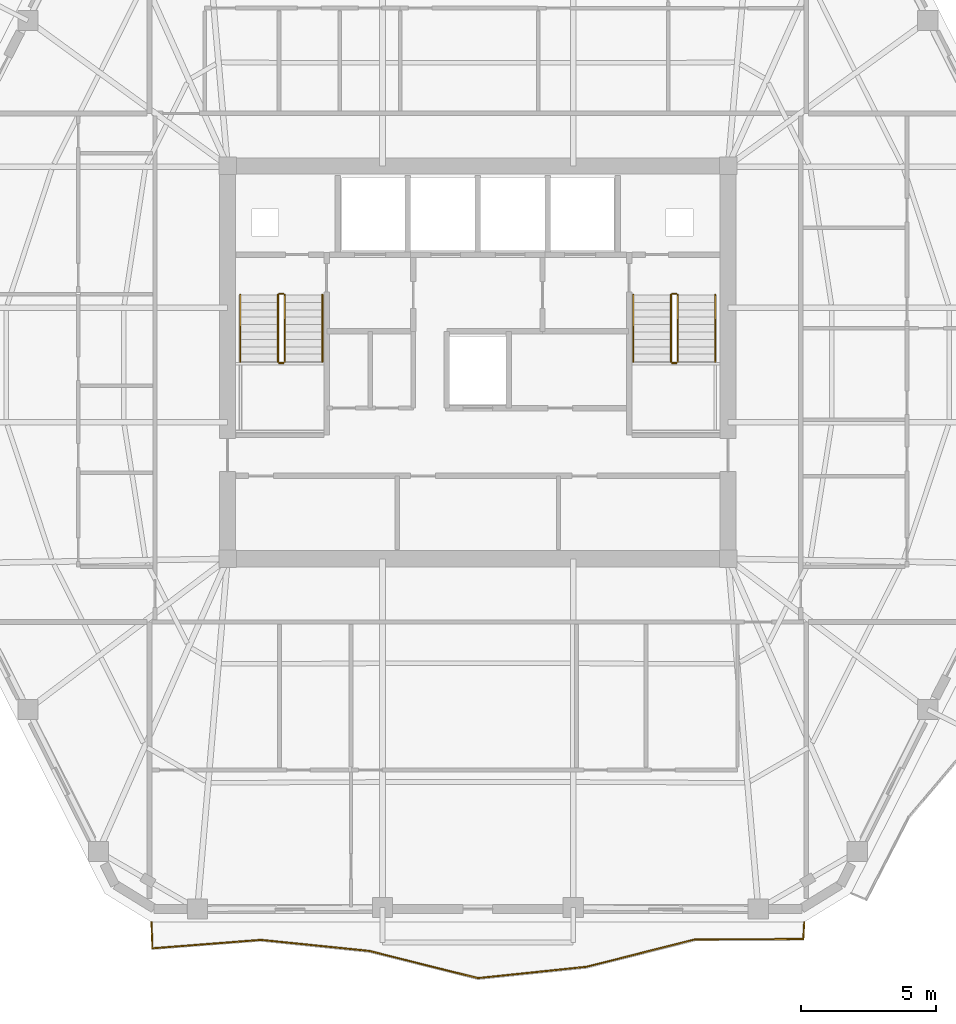
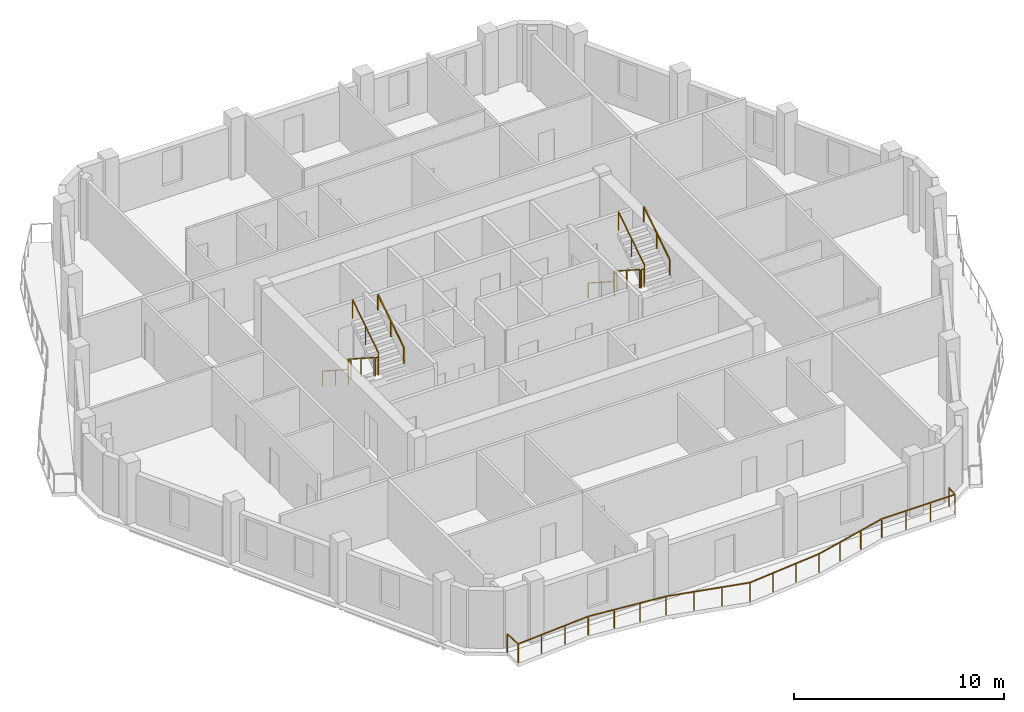
# One storey, part 8 of 9: 13 railings.
"""IFC4 building model written with IfcOpenShell, lengths in metres."""

from ifc_helpers import new_model, si_unit, direction, frame, origin, origin_2d, place, context, subcontext, project, spatial, rectangle, extrude, material, type_object, element, save


model = new_model("IFC4")

# Units and contexts
model_context = context("Model", 3, precision=1e-05, world=origin(), true_north=direction((0.0, 1.0)))
body_context = subcontext(model_context, "Body", "Model", "MODEL_VIEW")
ifc_project = project(units=[si_unit("LENGTHUNIT", "METRE"), si_unit("AREAUNIT", "SQUARE_METRE"), si_unit("VOLUMEUNIT", "CUBIC_METRE"), si_unit("PLANEANGLEUNIT", "RADIAN"), si_unit("MASSUNIT", "GRAM", prefix="KILO")], contexts=[model_context])

# Site, building, storey
site_placement = place(None, origin())
site = spatial("IfcSite", under=ifc_project, at=site_placement, CompositionType="ELEMENT")
building_placement = place(site_placement, origin())
building = spatial("IfcBuilding", under=site, at=building_placement, Name="Cinnabar Lancet Tower", CompositionType="ELEMENT")
storey_placement = place(building_placement, frame((0.0, 0.0, 207.39990234375)))
storey = spatial("IfcBuildingStorey", under=building, at=storey_placement, Name="L55", CompositionType="ELEMENT", Elevation=207.39990234375)

# Railings
ifc_material_1 = material(Name="Laminated safety glass and bronze stainless steel balustrade", Category="steel")
railing_type_1 = type_object("IfcRailingType", Name="ENV-RLG-BAL-1100", PredefinedType="BALUSTRADE", material=ifc_material_1)
railing_1_placement = place(storey_placement, frame((20.27197265625, 5.10009765625, 0.0)))
element("IfcRailing", 1, at=railing_1_placement, inside=storey, type_object=railing_type_1, Name="L55 Face 1 Wave Balcony Balustrade", PredefinedType="BALUSTRADE", context=body_context, shape_type="SweptSolid", body=[
    extrude(rectangle(XDim=0.048095703125, YDim=0.048095703125, at=origin_2d()), frame((0.0, 0.0, 1.076171875), z_axis=(0.034781146332, -0.999394952889, 0.0), x_axis=(0.999394952889, 0.034781146332, 0.0)), (0.0, 0.0, 1.0), 0.9755859375),
    extrude(rectangle(XDim=0.048095703125, YDim=0.048095703125, at=origin_2d()), frame((0.033935546875, -0.97509765625, 1.076171875), z_axis=(0.996985230168, 0.077591564149, 0.0), x_axis=(-0.077591564149, 0.996985230168, 0.0)), (0.0, 0.0, 1.0), 4.04638671875),
    extrude(rectangle(XDim=0.048095703125, YDim=0.048095703125, at=origin_2d()), frame((4.068115234375, -0.6611328125, 1.076171875), z_axis=(0.99484258554, -0.101430912429, 0.0), x_axis=(0.101430912429, 0.99484258554, 0.0)), (0.0, 0.0, 1.0), 4.051025390625),
    extrude(rectangle(XDim=0.048095703125, YDim=0.048095703125, at=origin_2d()), frame((8.09814453125, -1.072021484375, 1.076171875), z_axis=(0.969997138902, -0.243116331252, 0.0), x_axis=(0.243116331252, 0.969997138902, 0.0)), (0.0, 0.0, 1.0), 4.154541015625),
    extrude(rectangle(XDim=0.048095703125, YDim=0.048095703125, at=origin_2d()), frame((12.1279296875, -2.08203125, 1.076171875), z_axis=(0.994617762245, 0.10361229187, 0.0), x_axis=(-0.10361229187, 0.994617762245, 0.0)), (0.0, 0.0, 1.0), 4.052734375),
    extrude(rectangle(XDim=0.048095703125, YDim=0.048095703125, at=origin_2d()), frame((16.158935546875, -1.662109375, 1.076171875), z_axis=(0.969583531545, 0.244760649119, 0.0), x_axis=(-0.244760649119, 0.969583531545, 0.0)), (0.0, 0.0, 1.0), 4.155517578125),
    extrude(rectangle(XDim=0.048095703125, YDim=0.048095703125, at=origin_2d()), frame((20.18798828125, -0.64501953125, 1.076171875), z_axis=(0.999993181989, 0.0036926923, 0.0), x_axis=(-0.0036926923, 0.999993181989, 0.0)), (0.0, 0.0, 1.0), 4.032958984375),
    extrude(rectangle(XDim=0.048095703125, YDim=0.048095703125, at=origin_2d()), frame((24.220947265625, -0.630126953125, 1.076171875), z_axis=(0.055705696022, 0.998447232171, 0.0), x_axis=(-0.998447232171, 0.055705696022, 0.0)), (0.0, 0.0, 1.0), 0.631103515625),
    extrude(rectangle(XDim=0.0419921875, YDim=0.0419921875, at=origin_2d()), origin(), (0.0, 0.0, 1.0), 1.052001953125),
    extrude(rectangle(XDim=0.0419921875, YDim=0.0419921875, at=origin_2d()), frame((0.033935546875, -0.97509765625, 0.0)), (0.0, 0.0, 1.0), 1.052001953125),
    extrude(rectangle(XDim=0.0419921875, YDim=0.0419921875, at=origin_2d()), frame((1.378662109375, -0.870361328125, 0.0)), (0.0, 0.0, 1.0), 1.052001953125),
    extrude(rectangle(XDim=0.0419921875, YDim=0.0419921875, at=origin_2d()), frame((2.723388671875, -0.765869140625, 0.0)), (0.0, 0.0, 1.0), 1.052001953125),
    extrude(rectangle(XDim=0.0419921875, YDim=0.0419921875, at=origin_2d()), frame((4.068115234375, -0.6611328125, 0.0)), (0.0, 0.0, 1.0), 1.052001953125),
    extrude(rectangle(XDim=0.0419921875, YDim=0.0419921875, at=origin_2d()), frame((5.411376953125, -0.798095703125, 0.0)), (0.0, 0.0, 1.0), 1.052001953125),
    extrude(rectangle(XDim=0.0419921875, YDim=0.0419921875, at=origin_2d()), frame((6.7548828125, -0.93505859375, 0.0)), (0.0, 0.0, 1.0), 1.052001953125),
    extrude(rectangle(XDim=0.0419921875, YDim=0.0419921875, at=origin_2d()), frame((8.09814453125, -1.072021484375, 0.0)), (0.0, 0.0, 1.0), 1.052001953125),
    extrude(rectangle(XDim=0.0419921875, YDim=0.0419921875, at=origin_2d()), frame((9.44140625, -1.40869140625, 0.0)), (0.0, 0.0, 1.0), 1.052001953125),
    extrude(rectangle(XDim=0.0419921875, YDim=0.0419921875, at=origin_2d()), frame((10.78466796875, -1.745361328125, 0.0)), (0.0, 0.0, 1.0), 1.052001953125),
    extrude(rectangle(XDim=0.0419921875, YDim=0.0419921875, at=origin_2d()), frame((12.1279296875, -2.08203125, 0.0)), (0.0, 0.0, 1.0), 1.052001953125),
    extrude(rectangle(XDim=0.0419921875, YDim=0.0419921875, at=origin_2d()), frame((13.4716796875, -1.942138671875, 0.0)), (0.0, 0.0, 1.0), 1.052001953125),
    extrude(rectangle(XDim=0.0419921875, YDim=0.0419921875, at=origin_2d()), frame((14.815185546875, -1.802001953125, 0.0)), (0.0, 0.0, 1.0), 1.052001953125),
    extrude(rectangle(XDim=0.0419921875, YDim=0.0419921875, at=origin_2d()), frame((16.158935546875, -1.662109375, 0.0)), (0.0, 0.0, 1.0), 1.052001953125),
    extrude(rectangle(XDim=0.0419921875, YDim=0.0419921875, at=origin_2d()), frame((17.501953125, -1.322998046875, 0.0)), (0.0, 0.0, 1.0), 1.052001953125),
    extrude(rectangle(XDim=0.0419921875, YDim=0.0419921875, at=origin_2d()), frame((18.844970703125, -0.984130859375, 0.0)), (0.0, 0.0, 1.0), 1.052001953125),
    extrude(rectangle(XDim=0.0419921875, YDim=0.0419921875, at=origin_2d()), frame((20.18798828125, -0.64501953125, 0.0)), (0.0, 0.0, 1.0), 1.052001953125),
    extrude(rectangle(XDim=0.0419921875, YDim=0.0419921875, at=origin_2d()), frame((21.5322265625, -0.64013671875, 0.0)), (0.0, 0.0, 1.0), 1.052001953125),
    extrude(rectangle(XDim=0.0419921875, YDim=0.0419921875, at=origin_2d()), frame((22.876708984375, -0.635009765625, 0.0)), (0.0, 0.0, 1.0), 1.052001953125),
    extrude(rectangle(XDim=0.0419921875, YDim=0.0419921875, at=origin_2d()), frame((24.220947265625, -0.630126953125, 0.0)), (0.0, 0.0, 1.0), 1.052001953125),
    extrude(rectangle(XDim=0.0419921875, YDim=0.0419921875, at=origin_2d()), frame((24.256103515625, 0.0, 0.0)), (0.0, 0.0, 1.0), 1.052001953125),
])
ifc_material_2 = material(Name="Painted galvanized steel balustrade", Category="steel")
railing_type_2 = type_object("IfcRailingType", Name="GUARD-STAIR", PredefinedType="GUARDRAIL", material=ifc_material_2)
railing_2_placement = place(storey_placement, frame((24.97509765625, 28.39990234375, 0.177490234375)))
element("IfcRailing", 2, at=railing_2_placement, inside=storey, type_object=railing_type_2, Name="L55 ST-1 stair guard 1", PredefinedType="GUARDRAIL", context=body_context, shape_type="SweptSolid", body=[
    extrude(rectangle(XDim=0.048095703125, YDim=0.048095703125, at=origin_2d()), frame((0.0, 0.0, 1.076171875), z_axis=(0.0, -0.84014559416, 0.542360932049), x_axis=(1.0, 0.0, 0.0)), (0.0, 0.0, 1.0), 2.94580078125),
    extrude(rectangle(XDim=0.0419921875, YDim=0.0419921875, at=origin_2d()), origin(), (0.0, 0.0, 1.0), 1.052001953125),
    extrude(rectangle(XDim=0.0419921875, YDim=0.0419921875, at=origin_2d()), frame((0.0, -1.2373046875, 0.798828125)), (0.0, 0.0, 1.0), 1.052001953125),
    extrude(rectangle(XDim=0.0419921875, YDim=0.0419921875, at=origin_2d()), frame((0.0, -2.474853515625, 1.59765625)), (0.0, 0.0, 1.0), 1.052001953125),
])
railing_3_placement = place(storey_placement, frame((25.02490234375, 25.875, 1.775146484375)))
element("IfcRailing", 3, at=railing_3_placement, inside=storey, type_object=railing_type_2, Name="L55 ST-1 stair guard 2", PredefinedType="GUARDRAIL", context=body_context, shape_type="SweptSolid", body=[
    extrude(rectangle(XDim=0.048095703125, YDim=0.048095703125, at=origin_2d()), frame((0.0, 0.0, 1.076171875), z_axis=(1.0, 0.0, 0.0), x_axis=(0.0, 1.0, 0.0)), (0.0, 0.0, 1.0), 0.150146484375),
    extrude(rectangle(XDim=0.0419921875, YDim=0.0419921875, at=origin_2d()), origin(), (0.0, 0.0, 1.0), 1.052001953125),
    extrude(rectangle(XDim=0.0419921875, YDim=0.0419921875, at=origin_2d()), frame((0.150146484375, 0.0, 0.0)), (0.0, 0.0, 1.0), 1.052001953125),
])
railing_4_placement = place(storey_placement, frame((25.22509765625, 25.925048828125, 1.95263671875)))
element("IfcRailing", 4, at=railing_4_placement, inside=storey, type_object=railing_type_2, Name="L55 ST-1 stair guard 3", PredefinedType="GUARDRAIL", context=body_context, shape_type="SweptSolid", body=[
    extrude(rectangle(XDim=0.048095703125, YDim=0.048095703125, at=origin_2d()), frame((0.0, 0.0, 1.076171875), z_axis=(0.0, 0.840183358697, 0.542302428327), x_axis=(-1.0, 0.0, 0.0)), (0.0, 0.0, 1.0), 2.945556640625),
    extrude(rectangle(XDim=0.0419921875, YDim=0.0419921875, at=origin_2d()), origin(), (0.0, 0.0, 1.0), 1.052001953125),
    extrude(rectangle(XDim=0.0419921875, YDim=0.0419921875, at=origin_2d()), frame((0.0, 1.2373046875, 0.798828125)), (0.0, 0.0, 1.0), 1.052001953125),
    extrude(rectangle(XDim=0.0419921875, YDim=0.0419921875, at=origin_2d()), frame((0.0, 2.474853515625, 1.597412109375)), (0.0, 0.0, 1.0), 1.052001953125),
])
railing_5_placement = place(storey_placement, frame((25.02490234375, 28.449951171875, 0.0)))
element("IfcRailing", 5, at=railing_5_placement, inside=storey, type_object=railing_type_2, Name="L55 ST-1 stair guard 4", PredefinedType="GUARDRAIL", context=body_context, shape_type="SweptSolid", body=[
    extrude(rectangle(XDim=0.048095703125, YDim=0.048095703125, at=origin_2d()), frame((0.0, 0.0, 1.076171875), z_axis=(1.0, 0.0, 0.0), x_axis=(0.0, 1.0, 0.0)), (0.0, 0.0, 1.0), 0.150146484375),
    extrude(rectangle(XDim=0.0419921875, YDim=0.0419921875, at=origin_2d()), origin(), (0.0, 0.0, 1.0), 1.052001953125),
    extrude(rectangle(XDim=0.0419921875, YDim=0.0419921875, at=origin_2d()), frame((0.150146484375, 0.0, 0.0)), (0.0, 0.0, 1.0), 1.052001953125),
])
railing_6_placement = place(storey_placement, frame((39.574951171875, 28.39990234375, 0.177490234375)))
element("IfcRailing", 6, at=railing_6_placement, inside=storey, type_object=railing_type_2, Name="L55 ST-2 stair guard 1", PredefinedType="GUARDRAIL", context=body_context, shape_type="SweptSolid", body=[
    extrude(rectangle(XDim=0.048095703125, YDim=0.048095703125, at=origin_2d()), frame((0.0, 0.0, 1.076171875), z_axis=(0.0, -0.84014559416, 0.542360932049), x_axis=(1.0, 0.0, 0.0)), (0.0, 0.0, 1.0), 2.94580078125),
    extrude(rectangle(XDim=0.0419921875, YDim=0.0419921875, at=origin_2d()), origin(), (0.0, 0.0, 1.0), 1.052001953125),
    extrude(rectangle(XDim=0.0419921875, YDim=0.0419921875, at=origin_2d()), frame((0.0, -1.2373046875, 0.798828125)), (0.0, 0.0, 1.0), 1.052001953125),
    extrude(rectangle(XDim=0.0419921875, YDim=0.0419921875, at=origin_2d()), frame((0.0, -2.474853515625, 1.59765625)), (0.0, 0.0, 1.0), 1.052001953125),
])
railing_7_placement = place(storey_placement, frame((39.625, 25.875, 1.775146484375)))
element("IfcRailing", 7, at=railing_7_placement, inside=storey, type_object=railing_type_2, Name="L55 ST-2 stair guard 2", PredefinedType="GUARDRAIL", context=body_context, shape_type="SweptSolid", body=[
    extrude(rectangle(XDim=0.048095703125, YDim=0.048095703125, at=origin_2d()), frame((0.0, 0.0, 1.076171875), z_axis=(1.0, 0.0, 0.0), x_axis=(0.0, 1.0, 0.0)), (0.0, 0.0, 1.0), 0.14990234375),
    extrude(rectangle(XDim=0.0419921875, YDim=0.0419921875, at=origin_2d()), origin(), (0.0, 0.0, 1.0), 1.052001953125),
    extrude(rectangle(XDim=0.0419921875, YDim=0.0419921875, at=origin_2d()), frame((0.14990234375, 0.0, 0.0)), (0.0, 0.0, 1.0), 1.052001953125),
])
railing_8_placement = place(storey_placement, frame((39.824951171875, 25.925048828125, 1.95263671875)))
element("IfcRailing", 8, at=railing_8_placement, inside=storey, type_object=railing_type_2, Name="L55 ST-2 stair guard 3", PredefinedType="GUARDRAIL", context=body_context, shape_type="SweptSolid", body=[
    extrude(rectangle(XDim=0.048095703125, YDim=0.048095703125, at=origin_2d()), frame((0.0, 0.0, 1.076171875), z_axis=(0.0, 0.840183358697, 0.542302428327), x_axis=(-1.0, 0.0, 0.0)), (0.0, 0.0, 1.0), 2.945556640625),
    extrude(rectangle(XDim=0.0419921875, YDim=0.0419921875, at=origin_2d()), origin(), (0.0, 0.0, 1.0), 1.052001953125),
    extrude(rectangle(XDim=0.0419921875, YDim=0.0419921875, at=origin_2d()), frame((0.0, 1.2373046875, 0.798828125)), (0.0, 0.0, 1.0), 1.052001953125),
    extrude(rectangle(XDim=0.0419921875, YDim=0.0419921875, at=origin_2d()), frame((0.0, 2.474853515625, 1.597412109375)), (0.0, 0.0, 1.0), 1.052001953125),
])
railing_9_placement = place(storey_placement, frame((39.625, 28.449951171875, 0.0)))
element("IfcRailing", 9, at=railing_9_placement, inside=storey, type_object=railing_type_2, Name="L55 ST-2 stair guard 4", PredefinedType="GUARDRAIL", context=body_context, shape_type="SweptSolid", body=[
    extrude(rectangle(XDim=0.048095703125, YDim=0.048095703125, at=origin_2d()), frame((0.0, 0.0, 1.076171875), z_axis=(1.0, 0.0, 0.0), x_axis=(0.0, 1.0, 0.0)), (0.0, 0.0, 1.0), 0.14990234375),
    extrude(rectangle(XDim=0.0419921875, YDim=0.0419921875, at=origin_2d()), origin(), (0.0, 0.0, 1.0), 1.052001953125),
    extrude(rectangle(XDim=0.0419921875, YDim=0.0419921875, at=origin_2d()), frame((0.14990234375, 0.0, 0.0)), (0.0, 0.0, 1.0), 1.052001953125),
])
ifc_material_3 = material(Name="Brushed stainless steel handrail", Category="steel")
railing_type_3 = type_object("IfcRailingType", Name="HANDRAIL-STAIR", PredefinedType="HANDRAIL", material=ifc_material_3)
railing_10_placement = place(storey_placement, frame((23.574951171875, 28.39990234375, 0.177490234375)))
element("IfcRailing", 10, at=railing_10_placement, inside=storey, type_object=railing_type_3, Name="L55 ST-1 stair handrail 1", PredefinedType="HANDRAIL", context=body_context, shape_type="SweptSolid", body=[
    extrude(rectangle(XDim=0.048095703125, YDim=0.048095703125, at=origin_2d()), frame((0.0, 0.0, 0.8759765625), z_axis=(0.0, -0.84014559416, 0.542360932049), x_axis=(1.0, 0.0, 0.0)), (0.0, 0.0, 1.0), 2.94580078125),
    extrude(rectangle(XDim=0.0419921875, YDim=0.0419921875, at=origin_2d()), origin(), (0.0, 0.0, 1.0), 0.851806640625),
    extrude(rectangle(XDim=0.0419921875, YDim=0.0419921875, at=origin_2d()), frame((0.0, -1.2373046875, 0.798828125)), (0.0, 0.0, 1.0), 0.851806640625),
    extrude(rectangle(XDim=0.0419921875, YDim=0.0419921875, at=origin_2d()), frame((0.0, -2.474853515625, 1.59765625)), (0.0, 0.0, 1.0), 0.851806640625),
])
railing_11_placement = place(storey_placement, frame((26.625, 25.925048828125, 1.95263671875)))
element("IfcRailing", 11, at=railing_11_placement, inside=storey, type_object=railing_type_3, Name="L55 ST-1 stair handrail 2", PredefinedType="HANDRAIL", context=body_context, shape_type="SweptSolid", body=[
    extrude(rectangle(XDim=0.048095703125, YDim=0.048095703125, at=origin_2d()), frame((0.0, 0.0, 0.8759765625), z_axis=(0.0, 0.840183358697, 0.542302428327), x_axis=(-1.0, 0.0, 0.0)), (0.0, 0.0, 1.0), 2.945556640625),
    extrude(rectangle(XDim=0.0419921875, YDim=0.0419921875, at=origin_2d()), origin(), (0.0, 0.0, 1.0), 0.851806640625),
    extrude(rectangle(XDim=0.0419921875, YDim=0.0419921875, at=origin_2d()), frame((0.0, 1.2373046875, 0.798828125)), (0.0, 0.0, 1.0), 0.851806640625),
    extrude(rectangle(XDim=0.0419921875, YDim=0.0419921875, at=origin_2d()), frame((0.0, 2.474853515625, 1.597412109375)), (0.0, 0.0, 1.0), 0.851806640625),
])
railing_12_placement = place(storey_placement, frame((38.175048828125, 28.39990234375, 0.177490234375)))
element("IfcRailing", 12, at=railing_12_placement, inside=storey, type_object=railing_type_3, Name="L55 ST-2 stair handrail 1", PredefinedType="HANDRAIL", context=body_context, shape_type="SweptSolid", body=[
    extrude(rectangle(XDim=0.048095703125, YDim=0.048095703125, at=origin_2d()), frame((0.0, 0.0, 0.8759765625), z_axis=(0.0, -0.84014559416, 0.542360932049), x_axis=(1.0, 0.0, 0.0)), (0.0, 0.0, 1.0), 2.94580078125),
    extrude(rectangle(XDim=0.0419921875, YDim=0.0419921875, at=origin_2d()), origin(), (0.0, 0.0, 1.0), 0.851806640625),
    extrude(rectangle(XDim=0.0419921875, YDim=0.0419921875, at=origin_2d()), frame((0.0, -1.2373046875, 0.798828125)), (0.0, 0.0, 1.0), 0.851806640625),
    extrude(rectangle(XDim=0.0419921875, YDim=0.0419921875, at=origin_2d()), frame((0.0, -2.474853515625, 1.59765625)), (0.0, 0.0, 1.0), 0.851806640625),
])
railing_13_placement = place(storey_placement, frame((41.22509765625, 25.925048828125, 1.95263671875)))
element("IfcRailing", 13, at=railing_13_placement, inside=storey, type_object=railing_type_3, Name="L55 ST-2 stair handrail 2", PredefinedType="HANDRAIL", context=body_context, shape_type="SweptSolid", body=[
    extrude(rectangle(XDim=0.048095703125, YDim=0.048095703125, at=origin_2d()), frame((0.0, 0.0, 0.8759765625), z_axis=(0.0, 0.840183358697, 0.542302428327), x_axis=(-1.0, 0.0, 0.0)), (0.0, 0.0, 1.0), 2.945556640625),
    extrude(rectangle(XDim=0.0419921875, YDim=0.0419921875, at=origin_2d()), origin(), (0.0, 0.0, 1.0), 0.851806640625),
    extrude(rectangle(XDim=0.0419921875, YDim=0.0419921875, at=origin_2d()), frame((0.0, 1.2373046875, 0.798828125)), (0.0, 0.0, 1.0), 0.851806640625),
    extrude(rectangle(XDim=0.0419921875, YDim=0.0419921875, at=origin_2d()), frame((0.0, 2.474853515625, 1.597412109375)), (0.0, 0.0, 1.0), 0.851806640625),
])

save(model, "model.ifc")
